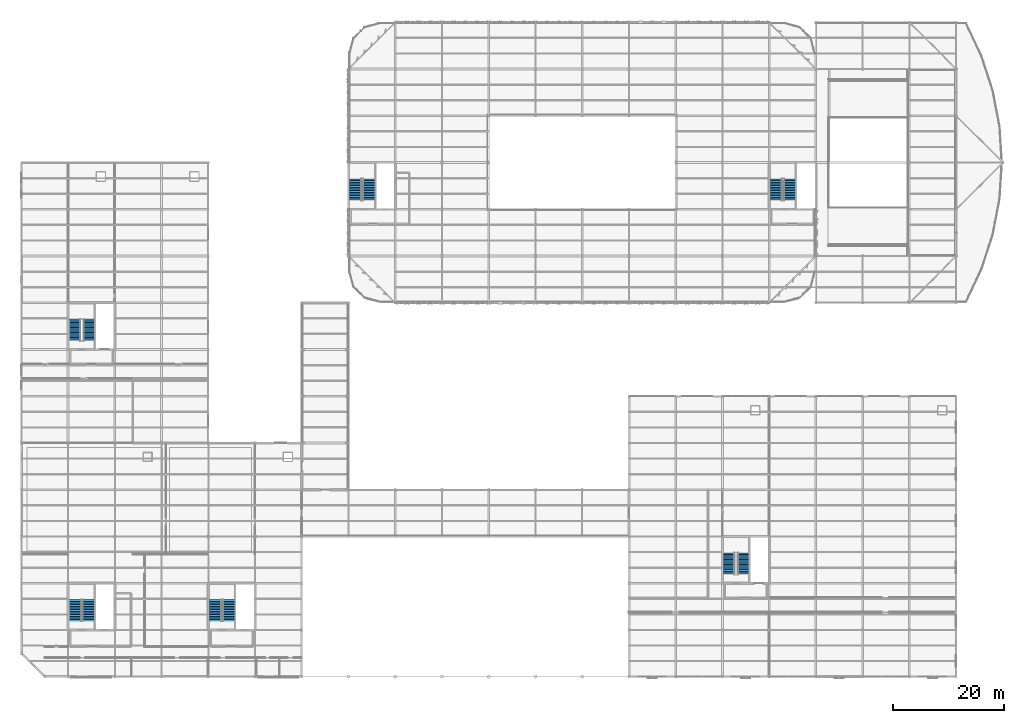
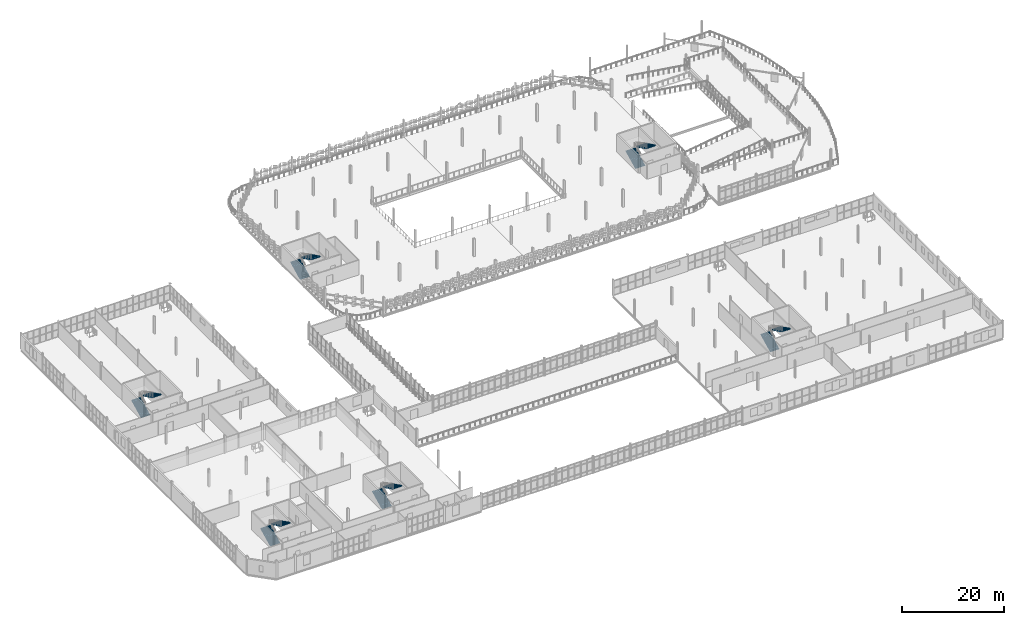
# One storey, part 138 of 163: 12 stair flights, 6 elements without a shape of their own.
"""IFC4 building model written with IfcOpenShell, lengths in metres."""

import ifcopenshell
import ifcopenshell.guid

model = None  # the IFC model being written
_history = None  # IfcOwnerHistory: only IFC2X3 demands one
_inside = {}  # id of a spatial element -> (the spatial element, [elements in it])
_under = {}  # id of a project, library or spatial element -> (it, [spatial elements below it])
_declared = {}  # id of a project -> (the project, [libraries it declares])
_typed = {}  # id of a type object -> (the type object, [elements of that type])
_made_of = {}  # id of a material, layer set ... -> (it, [elements and type objects made of it])


def new_model(schema):
    """Start an empty IFC model of exactly this schema.

    Asked for "IFC4X3", IfcOpenShell would pick the latest addendum, in which some entities
    have other attributes; the version numbers below select the first issue.
    IFC2X3 requires an IfcOwnerHistory on every rooted entity: one is made here for all.
    """
    global model, _history
    if schema == "IFC4X3":
        model = ifcopenshell.file(schema_version=(4, 3, 0, 0))
    else:
        model = ifcopenshell.file(schema=schema)
    _inside.clear()
    _under.clear()
    _declared.clear()
    _typed.clear()
    _made_of.clear()
    _history = None
    if model.schema == "IFC2X3":
        org = make("IfcOrganization", Name="unknown")
        user = make(
            "IfcPersonAndOrganization",
            ThePerson=make("IfcPerson", FamilyName="unknown"),
            TheOrganization=org,
        )
        app = make(
            "IfcApplication",
            ApplicationDeveloper=org,
            Version="unknown",
            ApplicationFullName="unknown",
            ApplicationIdentifier="unknown",
        )
        _history = make(
            "IfcOwnerHistory",
            OwningUser=user,
            OwningApplication=app,
            ChangeAction="ADDED",
            CreationDate=0,
        )
    return model


def make(cls, **values):
    """One entity of the class cls with the attributes given. An attribute that is None is left unset."""
    return model.create_entity(
        cls, **{name: value for name, value in values.items() if value is not None}
    )


def rooted(cls, **values):
    """An entity with a GlobalId (a new one), such as an element, a storey or a relation."""
    return make(cls, GlobalId=ifcopenshell.guid.new(), OwnerHistory=_history, **values)


def si_unit(unit_type, name, prefix=None):
    """IfcSIUnit, for example si_unit("LENGTHUNIT", "METRE", prefix="MILLI")."""
    return make("IfcSIUnit", UnitType=unit_type, Prefix=prefix, Name=name)


def assignment(units):
    """IfcUnitAssignment: the units of a project."""
    return None if units is None else make("IfcUnitAssignment", Units=units)


def point(xyz):
    """IfcCartesianPoint."""
    return None if xyz is None else make("IfcCartesianPoint", Coordinates=xyz)


def direction(xyz):
    """IfcDirection."""
    return None if xyz is None else make("IfcDirection", DirectionRatios=xyz)


def frame(location, z_axis=None, x_axis=None):
    """IfcAxis2Placement3D, a coordinate frame: its origin and axes. An axis left out is left unset."""
    return make(
        "IfcAxis2Placement3D",
        Location=point(location),
        Axis=direction(z_axis),
        RefDirection=direction(x_axis),
    )


def origin():
    """The frame at (0, 0, 0) with its axes left unset."""
    return frame((0.0, 0.0, 0.0))


def place(relative_to, where):
    """IfcLocalPlacement: puts the frame where relative to a parent placement (None: the world)."""
    return make(
        "IfcLocalPlacement", PlacementRelTo=relative_to, RelativePlacement=where
    )


def context(
    kind, dimensions, precision=None, world=None, true_north=None, identifier=None
):
    """IfcGeometricRepresentationContext, for example the 3D "Model" context."""
    return make(
        "IfcGeometricRepresentationContext",
        ContextIdentifier=identifier,
        ContextType=kind,
        CoordinateSpaceDimension=dimensions,
        Precision=precision,
        WorldCoordinateSystem=world,
        TrueNorth=true_north,
    )


def subcontext(parent, identifier, kind, view, scale=None):
    """IfcGeometricRepresentationSubContext, for example "Body" below "Model"."""
    return make(
        "IfcGeometricRepresentationSubContext",
        ContextIdentifier=identifier,
        ContextType=kind,
        ParentContext=parent,
        TargetScale=scale,
        TargetView=view,
    )


def project(units=None, contexts=None):
    """IfcProject with its units and contexts."""
    return rooted(
        "IfcProject",
        Name="project",
        RepresentationContexts=contexts,
        UnitsInContext=assignment(units),
    )


def spatial(cls, under=None, at=None, **own):
    """A site, building, storey or space (cls), placed at a placement, below another one or the project."""
    s = rooted(cls, ObjectPlacement=at, **own)
    if under is not None:
        _under.setdefault(under.id(), (under, []))[1].append(s)
    return s


def polyline(points):
    """IfcPolyline through the points."""
    return make("IfcPolyline", Points=[point(p) for p in points])


def outline(outer, holes=None, kind="AREA"):
    """IfcArbitraryClosedProfileDef: a profile drawn as a closed curve; with holes, ...WithVoids."""
    if holes is None:
        return make("IfcArbitraryClosedProfileDef", ProfileType=kind, OuterCurve=outer)
    return make(
        "IfcArbitraryProfileDefWithVoids",
        ProfileType=kind,
        OuterCurve=outer,
        InnerCurves=holes,
    )


def extrude(swept, where, along, depth):
    """IfcExtrudedAreaSolid: the profile swept, set in the frame where, extruded along a direction by depth."""
    return make(
        "IfcExtrudedAreaSolid",
        SweptArea=swept,
        Position=where,
        ExtrudedDirection=direction(along),
        Depth=depth,
    )


def shape(context_of_items, identifier, shape_type, items):
    """IfcShapeRepresentation: the items that make up one representation, for example the "Body"."""
    return make(
        "IfcShapeRepresentation",
        ContextOfItems=context_of_items,
        RepresentationIdentifier=identifier,
        RepresentationType=shape_type,
        Items=items,
    )


def material(Name=None, Category=None):
    """IfcMaterial."""
    return make("IfcMaterial", Name=Name, Category=Category)


def made_of(thing, what):
    """Note that an element or type object is made of a material, layer set ...; save() writes the relation."""
    if what is not None:
        _made_of.setdefault(what.id(), (what, []))[1].append(thing)
    return thing


def type_object(cls, material=None, **own):
    """A type object (cls), such as IfcWallType, which elements share."""
    return made_of(rooted(cls, **own), material)


def element(
    cls,
    number,
    at=None,
    inside=None,
    cuts=None,
    type_object=None,
    material=None,
    context=None,
    identifier="Body",
    shape_type=None,
    held_by="IfcProductDefinitionShape",
    body=None,
    shapes=None,
    **own,
):
    """One element of the class cls, such as IfcWall. Its Tag is "e" and its number.

    at: its placement. inside: the storey or other place that contains it. cuts: it is an
    opening in that element (IfcRelVoidsElement). A single representation is given by context,
    identifier, shape_type and body (its items); several are given by shapes. held_by: the class
    of the entity that holds the representations. save() writes the other relations.
    """
    e = rooted(cls, Tag="e%d" % number, ObjectPlacement=at, **own)
    if body is not None:
        shapes = [shape(context, identifier, shape_type, body)]
    if shapes is not None:
        e.Representation = make(held_by, Representations=shapes)
    if inside is not None:
        _inside.setdefault(inside.id(), (inside, []))[1].append(e)
    if cuts is not None:
        rooted(
            "IfcRelVoidsElement", RelatingBuildingElement=cuts, RelatedOpeningElement=e
        )
    if type_object is not None:
        _typed.setdefault(type_object.id(), (type_object, []))[1].append(e)
    return made_of(e, material)


def aggregate(whole, parts):
    """IfcRelAggregates: a whole, such as a stair, and the parts it consists of."""
    return rooted("IfcRelAggregates", RelatingObject=whole, RelatedObjects=parts)


def save(model, path):
    """Write the relations noted so far, then the file.

    IfcRelAggregates (storeys below a building ...), IfcRelContainedInSpatialStructure (elements
    in a storey), IfcRelDefinesByType, IfcRelAssociatesMaterial and IfcRelDeclares: one each for
    every whole, place, type object, material and project.
    """
    for whole, parts in _under.values():
        aggregate(whole, parts)
    for where, things in _inside.values():
        rooted(
            "IfcRelContainedInSpatialStructure",
            RelatedElements=things,
            RelatingStructure=where,
        )
    for kind, things in _typed.values():
        rooted("IfcRelDefinesByType", RelatedObjects=things, RelatingType=kind)
    for what, things in _made_of.values():
        rooted("IfcRelAssociatesMaterial", RelatedObjects=things, RelatingMaterial=what)
    for by, libraries in _declared.values():
        rooted("IfcRelDeclares", RelatingContext=by, RelatedDefinitions=libraries)
    model.write(path)


model = new_model("IFC4")

# Units and contexts
model_context = context("Model", 3, precision=1e-05, world=origin(), true_north=direction((0.0, 1.0)))
body_context = subcontext(model_context, "Body", "Model", "MODEL_VIEW")
ifc_project = project(units=[si_unit("LENGTHUNIT", "METRE"), si_unit("AREAUNIT", "SQUARE_METRE"), si_unit("VOLUMEUNIT", "CUBIC_METRE"), si_unit("PLANEANGLEUNIT", "RADIAN"), si_unit("MASSUNIT", "GRAM", prefix="KILO")], contexts=[model_context])

# Site, building, storey
site_placement = place(None, origin())
site = spatial("IfcSite", under=ifc_project, at=site_placement, CompositionType="ELEMENT")
building_placement = place(site_placement, origin())
building = spatial("IfcBuilding", under=site, at=building_placement, Name="Qalvenar Corner Mobility Hub", CompositionType="ELEMENT")
storey_placement = place(building_placement, frame((0.0, 0.0, 4.800048828125)))
storey = spatial("IfcBuildingStorey", under=building, at=storey_placement, Name="L01", CompositionType="ELEMENT", Elevation=4.800048828125)

# Stair, stair flights
ifc_material = material(Name="Concrete C35/45", Category="concrete")
stair_type_1 = type_object("IfcStairType", Name="STR-200-H42", PredefinedType="HALF_TURN_STAIR", material=ifc_material)
stair_1_placement = place(storey_placement, origin())
stair_1 = element("IfcStair", 1, at=stair_1_placement, inside=storey, type_object=stair_type_1, Name="Exit Stair ST2 L01-L02", PredefinedType="HALF_TURN_STAIR")
stair_flight_type_1 = type_object("IfcStairFlightType", Name="SFL-200-R14", PredefinedType="STRAIGHT", material=ifc_material)
stair_flight_1_placement = place(storey_placement, frame((34.89501953125, 9.949951171875, 0.0), z_axis=(0.0, 0.0, 1.0), x_axis=(0.0, 1.0, 0.0)))
stair_flight_1 = element("IfcStairFlight", 2, at=stair_flight_1_placement, type_object=stair_flight_type_1, Name="ST2 flight 1", NumberOfRisers=14, NumberOfTreads=13, PredefinedType="STRAIGHT", RiserHeight=0.15, TreadLength=0.3, context=body_context, shape_type="SweptSolid", body=[
    extrude(outline(polyline([(0.0, 0.0), (0.0, 0.14990234375), (0.300048828125, 0.14990234375), (0.300048828125, 0.300048828125), (0.60009765625, 0.300048828125), (0.60009765625, 0.449951171875), (0.89990234375, 0.449951171875), (0.89990234375, 0.60009765625), (1.199951171875, 0.60009765625), (1.199951171875, 0.75), (1.5, 0.75), (1.5, 0.89990234375), (1.800048828125, 0.89990234375), (1.800048828125, 1.050048828125), (2.10009765625, 1.050048828125), (2.10009765625, 1.199951171875), (2.39990234375, 1.199951171875), (2.39990234375, 1.35009765625), (2.699951171875, 1.35009765625), (2.699951171875, 1.5), (3.0, 1.5), (3.0, 1.64990234375), (3.300048828125, 1.64990234375), (3.300048828125, 1.800048828125), (3.60009765625, 1.800048828125), (3.60009765625, 1.949951171875), (3.89990234375, 1.949951171875), (3.89990234375, 2.10009765625), (3.89990234375, 1.748779296875), (0.40234375, 0.0), (0.0, 0.0)])), frame((0.0, 1.074951171875, 0.0), z_axis=(0.0, -1.0, 0.0), x_axis=(1.0, 0.0, 0.0)), (0.0, 0.0, 1.0), 2.14990234375),
])
stair_flight_2_placement = place(storey_placement, frame((37.284912109375, 13.85009765625, 2.099853515625), z_axis=(0.0, 0.0, 1.0), x_axis=(0.0, -1.0, 0.0)))
stair_flight_2 = element("IfcStairFlight", 3, at=stair_flight_2_placement, type_object=stair_flight_type_1, Name="ST2 flight 2", NumberOfRisers=14, NumberOfTreads=13, PredefinedType="STRAIGHT", RiserHeight=0.15, TreadLength=0.3, context=body_context, shape_type="SweptSolid", body=[
    extrude(outline(polyline([(0.0, 0.0), (0.0, 0.14990234375), (0.300048828125, 0.14990234375), (0.300048828125, 0.300048828125), (0.60009765625, 0.300048828125), (0.60009765625, 0.449951171875), (0.89990234375, 0.449951171875), (0.89990234375, 0.60009765625), (1.199951171875, 0.60009765625), (1.199951171875, 0.75), (1.5, 0.75), (1.5, 0.89990234375), (1.800048828125, 0.89990234375), (1.800048828125, 1.050048828125), (2.10009765625, 1.050048828125), (2.10009765625, 1.199951171875), (2.39990234375, 1.199951171875), (2.39990234375, 1.35009765625), (2.699951171875, 1.35009765625), (2.699951171875, 1.5), (3.0, 1.5), (3.0, 1.64990234375), (3.300048828125, 1.64990234375), (3.300048828125, 1.800048828125), (3.60009765625, 1.800048828125), (3.60009765625, 1.949951171875), (3.89990234375, 1.949951171875), (3.89990234375, 2.10009765625), (3.89990234375, 1.748779296875), (0.40234375, 0.0), (0.0, 0.0)])), frame((0.0, 1.074951171875, 0.0), z_axis=(0.0, -1.0, 0.0), x_axis=(1.0, 0.0, 0.0)), (0.0, 0.0, 1.0), 2.14990234375),
])
aggregate(stair_1, [stair_flight_1, stair_flight_2])

stair_2_placement = place(storey_placement, origin())
stair_2 = element("IfcStair", 4, at=stair_2_placement, inside=storey, type_object=stair_type_1, Name="Exit Stair ST3 L01-L02", PredefinedType="HALF_TURN_STAIR")
stair_flight_3_placement = place(storey_placement, frame((60.094970703125, 85.550048828125, 0.0), z_axis=(0.0, 0.0, 1.0), x_axis=(0.0, 1.0, 0.0)))
stair_flight_3 = element("IfcStairFlight", 5, at=stair_flight_3_placement, type_object=stair_flight_type_1, Name="ST3 flight 1", NumberOfRisers=14, NumberOfTreads=13, PredefinedType="STRAIGHT", RiserHeight=0.15, TreadLength=0.3, context=body_context, shape_type="SweptSolid", body=[
    extrude(outline(polyline([(0.0, 0.0), (0.0, 0.14990234375), (0.300048828125, 0.14990234375), (0.300048828125, 0.300048828125), (0.60009765625, 0.300048828125), (0.60009765625, 0.449951171875), (0.89990234375, 0.449951171875), (0.89990234375, 0.60009765625), (1.199951171875, 0.60009765625), (1.199951171875, 0.75), (1.5, 0.75), (1.5, 0.89990234375), (1.800048828125, 0.89990234375), (1.800048828125, 1.050048828125), (2.10009765625, 1.050048828125), (2.10009765625, 1.199951171875), (2.39990234375, 1.199951171875), (2.39990234375, 1.35009765625), (2.699951171875, 1.35009765625), (2.699951171875, 1.5), (3.0, 1.5), (3.0, 1.64990234375), (3.300048828125, 1.64990234375), (3.300048828125, 1.800048828125), (3.60009765625, 1.800048828125), (3.60009765625, 1.949951171875), (3.89990234375, 1.949951171875), (3.89990234375, 2.10009765625), (3.89990234375, 1.748779296875), (0.40234375, 0.0), (0.0, 0.0)])), frame((0.0, 1.074951171875, 0.0), z_axis=(0.0, -1.0, 0.0), x_axis=(1.0, 0.0, 0.0)), (0.0, 0.0, 1.0), 2.14990234375),
])
stair_flight_4_placement = place(storey_placement, frame((62.485107421875, 89.449951171875, 2.099853515625), z_axis=(0.0, 0.0, 1.0), x_axis=(0.0, -1.0, 0.0)))
stair_flight_4 = element("IfcStairFlight", 6, at=stair_flight_4_placement, type_object=stair_flight_type_1, Name="ST3 flight 2", NumberOfRisers=14, NumberOfTreads=13, PredefinedType="STRAIGHT", RiserHeight=0.15, TreadLength=0.3, context=body_context, shape_type="SweptSolid", body=[
    extrude(outline(polyline([(0.0, 0.0), (0.0, 0.14990234375), (0.300048828125, 0.14990234375), (0.300048828125, 0.300048828125), (0.60009765625, 0.300048828125), (0.60009765625, 0.449951171875), (0.89990234375, 0.449951171875), (0.89990234375, 0.60009765625), (1.199951171875, 0.60009765625), (1.199951171875, 0.75), (1.5, 0.75), (1.5, 0.89990234375), (1.800048828125, 0.89990234375), (1.800048828125, 1.050048828125), (2.10009765625, 1.050048828125), (2.10009765625, 1.199951171875), (2.39990234375, 1.199951171875), (2.39990234375, 1.35009765625), (2.699951171875, 1.35009765625), (2.699951171875, 1.5), (3.0, 1.5), (3.0, 1.64990234375), (3.300048828125, 1.64990234375), (3.300048828125, 1.800048828125), (3.60009765625, 1.800048828125), (3.60009765625, 1.949951171875), (3.89990234375, 1.949951171875), (3.89990234375, 2.10009765625), (3.89990234375, 1.748779296875), (0.40234375, 0.0), (0.0, 0.0)])), frame((0.0, 1.074951171875, 0.0), z_axis=(0.0, -1.0, 0.0), x_axis=(1.0, 0.0, 0.0)), (0.0, 0.0, 1.0), 2.14990234375),
])
aggregate(stair_2, [stair_flight_3, stair_flight_4])

stair_3_placement = place(storey_placement, origin())
stair_3 = element("IfcStair", 7, at=stair_3_placement, inside=storey, type_object=stair_type_1, Name="Exit Stair ST4 L01-L02", PredefinedType="HALF_TURN_STAIR")
stair_flight_5_placement = place(storey_placement, frame((135.695068359375, 85.550048828125, 0.0), z_axis=(0.0, 0.0, 1.0), x_axis=(0.0, 1.0, 0.0)))
stair_flight_5 = element("IfcStairFlight", 8, at=stair_flight_5_placement, type_object=stair_flight_type_1, Name="ST4 flight 1", NumberOfRisers=14, NumberOfTreads=13, PredefinedType="STRAIGHT", RiserHeight=0.15, TreadLength=0.3, context=body_context, shape_type="SweptSolid", body=[
    extrude(outline(polyline([(0.0, 0.0), (0.0, 0.14990234375), (0.300048828125, 0.14990234375), (0.300048828125, 0.300048828125), (0.60009765625, 0.300048828125), (0.60009765625, 0.449951171875), (0.89990234375, 0.449951171875), (0.89990234375, 0.60009765625), (1.199951171875, 0.60009765625), (1.199951171875, 0.75), (1.5, 0.75), (1.5, 0.89990234375), (1.800048828125, 0.89990234375), (1.800048828125, 1.050048828125), (2.10009765625, 1.050048828125), (2.10009765625, 1.199951171875), (2.39990234375, 1.199951171875), (2.39990234375, 1.35009765625), (2.699951171875, 1.35009765625), (2.699951171875, 1.5), (3.0, 1.5), (3.0, 1.64990234375), (3.300048828125, 1.64990234375), (3.300048828125, 1.800048828125), (3.60009765625, 1.800048828125), (3.60009765625, 1.949951171875), (3.89990234375, 1.949951171875), (3.89990234375, 2.10009765625), (3.89990234375, 1.748779296875), (0.40234375, 0.0), (0.0, 0.0)])), frame((0.0, 1.074951171875, 0.0), z_axis=(0.0, -1.0, 0.0), x_axis=(1.0, 0.0, 0.0)), (0.0, 0.0, 1.0), 2.14990234375),
])
stair_flight_6_placement = place(storey_placement, frame((138.0849609375, 89.449951171875, 2.099853515625), z_axis=(0.0, 0.0, 1.0), x_axis=(0.0, -1.0, 0.0)))
stair_flight_6 = element("IfcStairFlight", 9, at=stair_flight_6_placement, type_object=stair_flight_type_1, Name="ST4 flight 2", NumberOfRisers=14, NumberOfTreads=13, PredefinedType="STRAIGHT", RiserHeight=0.15, TreadLength=0.3, context=body_context, shape_type="SweptSolid", body=[
    extrude(outline(polyline([(0.0, 0.0), (0.0, 0.14990234375), (0.300048828125, 0.14990234375), (0.300048828125, 0.300048828125), (0.60009765625, 0.300048828125), (0.60009765625, 0.449951171875), (0.89990234375, 0.449951171875), (0.89990234375, 0.60009765625), (1.199951171875, 0.60009765625), (1.199951171875, 0.75), (1.5, 0.75), (1.5, 0.89990234375), (1.800048828125, 0.89990234375), (1.800048828125, 1.050048828125), (2.10009765625, 1.050048828125), (2.10009765625, 1.199951171875), (2.39990234375, 1.199951171875), (2.39990234375, 1.35009765625), (2.699951171875, 1.35009765625), (2.699951171875, 1.5), (3.0, 1.5), (3.0, 1.64990234375), (3.300048828125, 1.64990234375), (3.300048828125, 1.800048828125), (3.60009765625, 1.800048828125), (3.60009765625, 1.949951171875), (3.89990234375, 1.949951171875), (3.89990234375, 2.10009765625), (3.89990234375, 1.748779296875), (0.40234375, 0.0), (0.0, 0.0)])), frame((0.0, 1.074951171875, 0.0), z_axis=(0.0, -1.0, 0.0), x_axis=(1.0, 0.0, 0.0)), (0.0, 0.0, 1.0), 2.14990234375),
])
aggregate(stair_3, [stair_flight_5, stair_flight_6])

stair_4_placement = place(storey_placement, origin())
stair_4 = element("IfcStair", 10, at=stair_4_placement, inside=storey, type_object=stair_type_1, Name="Exit Stair ST5 L01-L02", PredefinedType="HALF_TURN_STAIR")
stair_flight_7_placement = place(storey_placement, frame((9.6201171875, 60.35009765625, 0.0), z_axis=(0.0, 0.0, 1.0), x_axis=(0.0, 1.0, 0.0)))
stair_flight_7 = element("IfcStairFlight", 11, at=stair_flight_7_placement, type_object=stair_flight_type_1, Name="ST5 flight 1", NumberOfRisers=14, NumberOfTreads=13, PredefinedType="STRAIGHT", RiserHeight=0.15, TreadLength=0.3, context=body_context, shape_type="SweptSolid", body=[
    extrude(outline(polyline([(0.0, 0.0), (0.0, 0.14990234375), (0.300048828125, 0.14990234375), (0.300048828125, 0.300048828125), (0.60009765625, 0.300048828125), (0.60009765625, 0.449951171875), (0.89990234375, 0.449951171875), (0.89990234375, 0.60009765625), (1.199951171875, 0.60009765625), (1.199951171875, 0.75), (1.5, 0.75), (1.5, 0.89990234375), (1.800048828125, 0.89990234375), (1.800048828125, 1.050048828125), (2.10009765625, 1.050048828125), (2.10009765625, 1.199951171875), (2.39990234375, 1.199951171875), (2.39990234375, 1.35009765625), (2.699951171875, 1.35009765625), (2.699951171875, 1.5), (3.0, 1.5), (3.0, 1.64990234375), (3.300048828125, 1.64990234375), (3.300048828125, 1.800048828125), (3.60009765625, 1.800048828125), (3.60009765625, 1.949951171875), (3.89990234375, 1.949951171875), (3.89990234375, 2.10009765625), (3.89990234375, 1.748779296875), (0.40234375, 0.0), (0.0, 0.0)])), frame((0.0, 1.0, 0.0), z_axis=(0.0, -1.0, 0.0), x_axis=(1.0, 0.0, 0.0)), (0.0, 0.0, 1.0), 2.0),
])
stair_flight_8_placement = place(storey_placement, frame((12.159912109375, 64.25, 2.099853515625), z_axis=(0.0, 0.0, 1.0), x_axis=(0.0, -1.0, 0.0)))
stair_flight_8 = element("IfcStairFlight", 12, at=stair_flight_8_placement, type_object=stair_flight_type_1, Name="ST5 flight 2", NumberOfRisers=14, NumberOfTreads=13, PredefinedType="STRAIGHT", RiserHeight=0.15, TreadLength=0.3, context=body_context, shape_type="SweptSolid", body=[
    extrude(outline(polyline([(0.0, 0.0), (0.0, 0.14990234375), (0.300048828125, 0.14990234375), (0.300048828125, 0.300048828125), (0.60009765625, 0.300048828125), (0.60009765625, 0.449951171875), (0.89990234375, 0.449951171875), (0.89990234375, 0.60009765625), (1.199951171875, 0.60009765625), (1.199951171875, 0.75), (1.5, 0.75), (1.5, 0.89990234375), (1.800048828125, 0.89990234375), (1.800048828125, 1.050048828125), (2.10009765625, 1.050048828125), (2.10009765625, 1.199951171875), (2.39990234375, 1.199951171875), (2.39990234375, 1.35009765625), (2.699951171875, 1.35009765625), (2.699951171875, 1.5), (3.0, 1.5), (3.0, 1.64990234375), (3.300048828125, 1.64990234375), (3.300048828125, 1.800048828125), (3.60009765625, 1.800048828125), (3.60009765625, 1.949951171875), (3.89990234375, 1.949951171875), (3.89990234375, 2.10009765625), (3.89990234375, 1.748779296875), (0.40234375, 0.0), (0.0, 0.0)])), frame((0.0, 1.0, 0.0), z_axis=(0.0, -1.0, 0.0), x_axis=(1.0, 0.0, 0.0)), (0.0, 0.0, 1.0), 2.0),
])
aggregate(stair_4, [stair_flight_7, stair_flight_8])

stair_5_placement = place(storey_placement, origin())
stair_5 = element("IfcStair", 13, at=stair_5_placement, inside=storey, type_object=stair_type_1, Name="Exit Stair ST6 L01-L02", PredefinedType="HALF_TURN_STAIR")
stair_flight_9_placement = place(storey_placement, frame((127.219970703125, 18.35009765625, 0.0), z_axis=(0.0, 0.0, 1.0), x_axis=(0.0, 1.0, 0.0)))
stair_flight_9 = element("IfcStairFlight", 14, at=stair_flight_9_placement, type_object=stair_flight_type_1, Name="ST6 flight 1", NumberOfRisers=14, NumberOfTreads=13, PredefinedType="STRAIGHT", RiserHeight=0.15, TreadLength=0.3, context=body_context, shape_type="SweptSolid", body=[
    extrude(outline(polyline([(0.0, 0.0), (0.0, 0.14990234375), (0.300048828125, 0.14990234375), (0.300048828125, 0.300048828125), (0.60009765625, 0.300048828125), (0.60009765625, 0.449951171875), (0.89990234375, 0.449951171875), (0.89990234375, 0.60009765625), (1.199951171875, 0.60009765625), (1.199951171875, 0.75), (1.5, 0.75), (1.5, 0.89990234375), (1.800048828125, 0.89990234375), (1.800048828125, 1.050048828125), (2.10009765625, 1.050048828125), (2.10009765625, 1.199951171875), (2.39990234375, 1.199951171875), (2.39990234375, 1.35009765625), (2.699951171875, 1.35009765625), (2.699951171875, 1.5), (3.0, 1.5), (3.0, 1.64990234375), (3.300048828125, 1.64990234375), (3.300048828125, 1.800048828125), (3.60009765625, 1.800048828125), (3.60009765625, 1.949951171875), (3.89990234375, 1.949951171875), (3.89990234375, 2.10009765625), (3.89990234375, 1.748779296875), (0.40234375, 0.0), (0.0, 0.0)])), frame((0.0, 1.0, 0.0), z_axis=(0.0, -1.0, 0.0), x_axis=(1.0, 0.0, 0.0)), (0.0, 0.0, 1.0), 2.0),
])
stair_flight_10_placement = place(storey_placement, frame((129.760009765625, 22.25, 2.099853515625), z_axis=(0.0, 0.0, 1.0), x_axis=(0.0, -1.0, 0.0)))
stair_flight_10 = element("IfcStairFlight", 15, at=stair_flight_10_placement, type_object=stair_flight_type_1, Name="ST6 flight 2", NumberOfRisers=14, NumberOfTreads=13, PredefinedType="STRAIGHT", RiserHeight=0.15, TreadLength=0.3, context=body_context, shape_type="SweptSolid", body=[
    extrude(outline(polyline([(0.0, 0.0), (0.0, 0.14990234375), (0.300048828125, 0.14990234375), (0.300048828125, 0.300048828125), (0.60009765625, 0.300048828125), (0.60009765625, 0.449951171875), (0.89990234375, 0.449951171875), (0.89990234375, 0.60009765625), (1.199951171875, 0.60009765625), (1.199951171875, 0.75), (1.5, 0.75), (1.5, 0.89990234375), (1.800048828125, 0.89990234375), (1.800048828125, 1.050048828125), (2.10009765625, 1.050048828125), (2.10009765625, 1.199951171875), (2.39990234375, 1.199951171875), (2.39990234375, 1.35009765625), (2.699951171875, 1.35009765625), (2.699951171875, 1.5), (3.0, 1.5), (3.0, 1.64990234375), (3.300048828125, 1.64990234375), (3.300048828125, 1.800048828125), (3.60009765625, 1.800048828125), (3.60009765625, 1.949951171875), (3.89990234375, 1.949951171875), (3.89990234375, 2.10009765625), (3.89990234375, 1.748779296875), (0.40234375, 0.0), (0.0, 0.0)])), frame((0.0, 1.0, 0.0), z_axis=(0.0, -1.0, 0.0), x_axis=(1.0, 0.0, 0.0)), (0.0, 0.0, 1.0), 2.0),
])
aggregate(stair_5, [stair_flight_9, stair_flight_10])

stair_type_2 = type_object("IfcStairType", Name="STR-220-H42", PredefinedType="HALF_TURN_STAIR", material=ifc_material)
stair_6_placement = place(storey_placement, origin())
stair_6 = element("IfcStair", 16, at=stair_6_placement, inside=storey, type_object=stair_type_2, Name="Exit Stair ST1 L01-L02", PredefinedType="HALF_TURN_STAIR")
stair_flight_type_2 = type_object("IfcStairFlightType", Name="SFL-220-R14", PredefinedType="STRAIGHT", material=ifc_material)
stair_flight_11_placement = place(storey_placement, frame((9.719970703125, 9.949951171875, 0.0), z_axis=(0.0, 0.0, 1.0), x_axis=(0.0, 1.0, 0.0)))
stair_flight_11 = element("IfcStairFlight", 17, at=stair_flight_11_placement, type_object=stair_flight_type_2, Name="ST1 flight 1", NumberOfRisers=14, NumberOfTreads=13, PredefinedType="STRAIGHT", RiserHeight=0.15, TreadLength=0.3, context=body_context, shape_type="SweptSolid", body=[
    extrude(outline(polyline([(0.0, 0.0), (0.0, 0.14990234375), (0.300048828125, 0.14990234375), (0.300048828125, 0.300048828125), (0.60009765625, 0.300048828125), (0.60009765625, 0.449951171875), (0.89990234375, 0.449951171875), (0.89990234375, 0.60009765625), (1.199951171875, 0.60009765625), (1.199951171875, 0.75), (1.5, 0.75), (1.5, 0.89990234375), (1.800048828125, 0.89990234375), (1.800048828125, 1.050048828125), (2.10009765625, 1.050048828125), (2.10009765625, 1.199951171875), (2.39990234375, 1.199951171875), (2.39990234375, 1.35009765625), (2.699951171875, 1.35009765625), (2.699951171875, 1.5), (3.0, 1.5), (3.0, 1.64990234375), (3.300048828125, 1.64990234375), (3.300048828125, 1.800048828125), (3.60009765625, 1.800048828125), (3.60009765625, 1.949951171875), (3.89990234375, 1.949951171875), (3.89990234375, 2.10009765625), (3.89990234375, 1.748779296875), (0.40234375, 0.0), (0.0, 0.0)])), frame((0.0, 1.10009765625, 0.0), z_axis=(0.0, -1.0, 0.0), x_axis=(1.0, 0.0, 0.0)), (0.0, 0.0, 1.0), 2.199951171875),
])
stair_flight_12_placement = place(storey_placement, frame((12.06005859375, 13.85009765625, 2.099853515625), z_axis=(0.0, 0.0, 1.0), x_axis=(0.0, -1.0, 0.0)))
stair_flight_12 = element("IfcStairFlight", 18, at=stair_flight_12_placement, type_object=stair_flight_type_2, Name="ST1 flight 2", NumberOfRisers=14, NumberOfTreads=13, PredefinedType="STRAIGHT", RiserHeight=0.15, TreadLength=0.3, context=body_context, shape_type="SweptSolid", body=[
    extrude(outline(polyline([(0.0, 0.0), (0.0, 0.14990234375), (0.300048828125, 0.14990234375), (0.300048828125, 0.300048828125), (0.60009765625, 0.300048828125), (0.60009765625, 0.449951171875), (0.89990234375, 0.449951171875), (0.89990234375, 0.60009765625), (1.199951171875, 0.60009765625), (1.199951171875, 0.75), (1.5, 0.75), (1.5, 0.89990234375), (1.800048828125, 0.89990234375), (1.800048828125, 1.050048828125), (2.10009765625, 1.050048828125), (2.10009765625, 1.199951171875), (2.39990234375, 1.199951171875), (2.39990234375, 1.35009765625), (2.699951171875, 1.35009765625), (2.699951171875, 1.5), (3.0, 1.5), (3.0, 1.64990234375), (3.300048828125, 1.64990234375), (3.300048828125, 1.800048828125), (3.60009765625, 1.800048828125), (3.60009765625, 1.949951171875), (3.89990234375, 1.949951171875), (3.89990234375, 2.10009765625), (3.89990234375, 1.748779296875), (0.40234375, 0.0), (0.0, 0.0)])), frame((0.0, 1.10009765625, 0.0), z_axis=(0.0, -1.0, 0.0), x_axis=(1.0, 0.0, 0.0)), (0.0, 0.0, 1.0), 2.199951171875),
])
aggregate(stair_6, [stair_flight_11, stair_flight_12])

save(model, "model.ifc")
